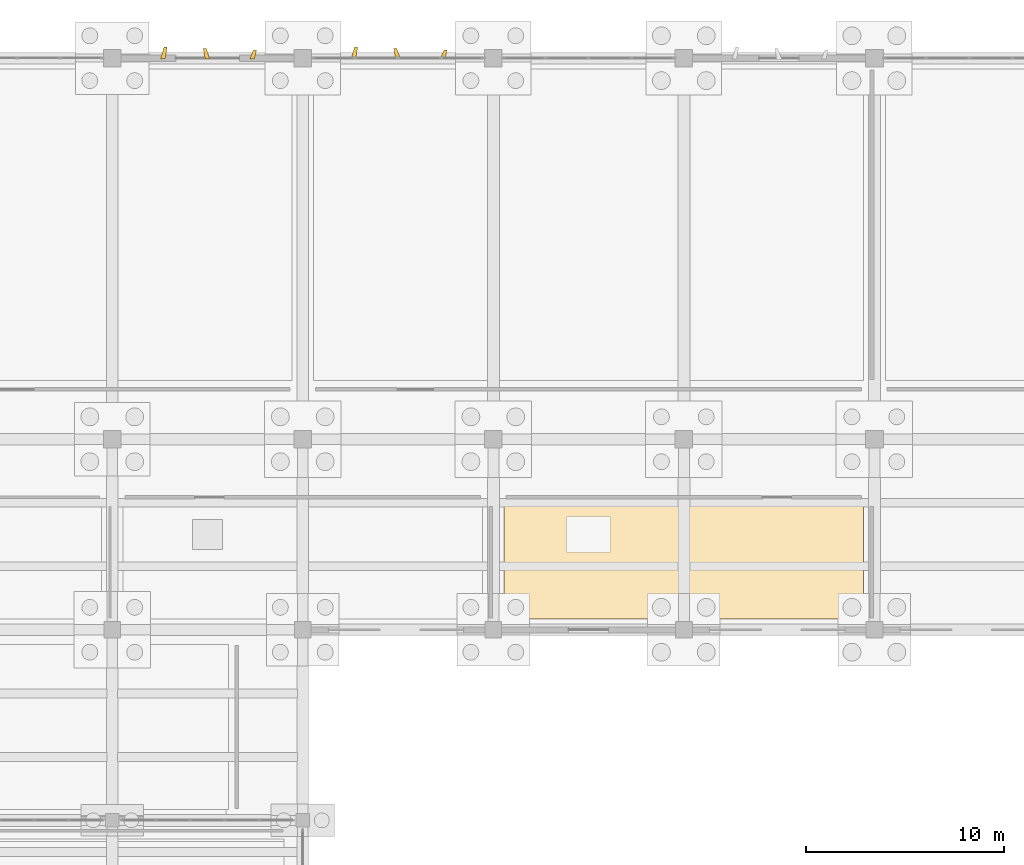
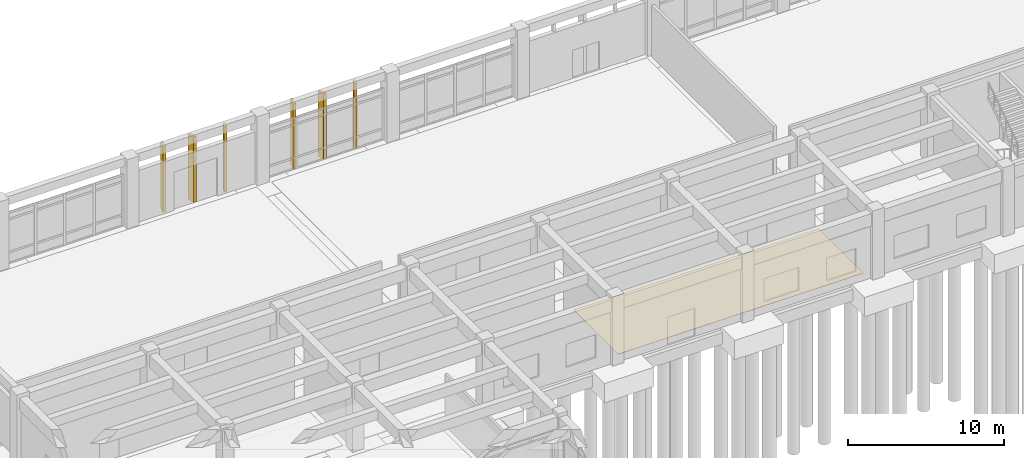
# One storey, part 94 of 102: 7 coverings.
"""IFC4 building model written with IfcOpenShell, lengths in metres."""

from ifc_helpers import new_model, si_unit, direction, frame, origin, place, context, subcontext, project, spatial, polyline, outline, extrude, material, layer, layer_set, type_object, element, save


model = new_model("IFC4")

# Units and contexts
model_context = context("Model", 3, precision=1e-05, world=origin(), true_north=direction((0.0, 1.0)))
body_context = subcontext(model_context, "Body", "Model", "MODEL_VIEW")
ifc_project = project(units=[si_unit("LENGTHUNIT", "METRE"), si_unit("AREAUNIT", "SQUARE_METRE"), si_unit("VOLUMEUNIT", "CUBIC_METRE"), si_unit("PLANEANGLEUNIT", "RADIAN"), si_unit("MASSUNIT", "GRAM", prefix="KILO")], contexts=[model_context])

# Site, building, storey
site_placement = place(None, origin())
site = spatial("IfcSite", under=ifc_project, at=site_placement, CompositionType="ELEMENT")
building_placement = place(site_placement, origin())
building = spatial("IfcBuilding", under=site, at=building_placement, Name="Kolvemor Railside Polytechnic", CompositionType="ELEMENT")
storey_placement = place(building_placement, origin())
storey = spatial("IfcBuildingStorey", under=building, at=storey_placement, Name="L00", CompositionType="ELEMENT", Elevation=0.0)

# Coverings
ifc_material_1 = material(Name="Sea-mist PVDF-anodised marine aluminium 5052-H32", Category="aluminium")
ifc_layer_1 = layer(ifc_material_1, 0.159912109375, Name="COV-FIN-MIST")
ifc_layer_set_1 = layer_set([ifc_layer_1], Name="Sea-mist PVDF-anodised marine aluminium 5052-H32")
covering_type_1 = type_object("IfcCoveringType", Name="COV-FIN-MIST", PredefinedType="CLADDING", material=ifc_layer_set_1)
covering_1_placement = place(storey_placement, frame((0.0, 0.0, 0.02001953125)))
element("IfcCovering", 1, at=covering_1_placement, inside=storey, type_object=covering_type_1, Name="Pleated Solar Fin L00-0717", PredefinedType="CLADDING", context=body_context, shape_type="SweptSolid", body=[
    extrude(outline(polyline([(40.8349609375, 119.965087890625), (41.06494140625, 119.965087890625), (41.169921875, 120.56494140625), (41.010009765625, 120.56494140625), (40.8349609375, 119.965087890625)])), origin(), (0.0, 0.0, 1.0), 5.10009765625),
])
covering_2_placement = place(storey_placement, frame((0.0, 0.0, 0.02001953125)))
element("IfcCovering", 2, at=covering_2_placement, inside=storey, type_object=covering_type_1, Name="Pleated Solar Fin L00-0718", PredefinedType="CLADDING", context=body_context, shape_type="SweptSolid", body=[
    extrude(outline(polyline([(43.0849609375, 119.965087890625), (43.31494140625, 119.965087890625), (43.139892578125, 120.485107421875), (42.97998046875, 120.485107421875), (43.0849609375, 119.965087890625)])), origin(), (0.0, 0.0, 1.0), 5.10009765625),
])
covering_3_placement = place(storey_placement, frame((0.0, 0.0, 0.02001953125)))
element("IfcCovering", 3, at=covering_3_placement, inside=storey, type_object=covering_type_1, Name="Pleated Solar Fin L00-0719", PredefinedType="CLADDING", context=body_context, shape_type="SweptSolid", body=[
    extrude(outline(polyline([(45.3349609375, 119.965087890625), (45.56494140625, 119.965087890625), (45.669921875, 120.405029296875), (45.510009765625, 120.405029296875), (45.3349609375, 119.965087890625)])), origin(), (0.0, 0.0, 1.0), 5.10009765625),
])
covering_4_placement = place(storey_placement, frame((0.0, 0.0, 0.02001953125)))
element("IfcCovering", 4, at=covering_4_placement, inside=storey, type_object=covering_type_1, Name="Pleated Solar Fin L00-0720", PredefinedType="CLADDING", context=body_context, shape_type="SweptSolid", body=[
    extrude(outline(polyline([(50.43505859375, 119.965087890625), (50.6650390625, 119.965087890625), (50.77001953125, 120.56494140625), (50.610107421875, 120.56494140625), (50.43505859375, 119.965087890625)])), origin(), (0.0, 0.0, 1.0), 5.10009765625),
])
covering_5_placement = place(storey_placement, frame((0.0, 0.0, 0.02001953125)))
element("IfcCovering", 5, at=covering_5_placement, inside=storey, type_object=covering_type_1, Name="Pleated Solar Fin L00-0721", PredefinedType="CLADDING", context=body_context, shape_type="SweptSolid", body=[
    extrude(outline(polyline([(52.68505859375, 119.965087890625), (52.9150390625, 119.965087890625), (52.739990234375, 120.485107421875), (52.580078125, 120.485107421875), (52.68505859375, 119.965087890625)])), origin(), (0.0, 0.0, 1.0), 5.10009765625),
])
covering_6_placement = place(storey_placement, frame((0.0, 0.0, 0.02001953125)))
element("IfcCovering", 6, at=covering_6_placement, inside=storey, type_object=covering_type_1, Name="Pleated Solar Fin L00-0722", PredefinedType="CLADDING", context=body_context, shape_type="SweptSolid", body=[
    extrude(outline(polyline([(54.93505859375, 119.965087890625), (55.1650390625, 119.965087890625), (55.27001953125, 120.405029296875), (55.110107421875, 120.405029296875), (54.93505859375, 119.965087890625)])), origin(), (0.0, 0.0, 1.0), 5.10009765625),
])
ifc_material_2 = material(Name="Polished coral-aggregate terrazzo and laboratory epoxy flooring")
ifc_layer_2 = layer(ifc_material_2, 0.02001953125, Name="COV-FLR-1")
ifc_layer_set_2 = layer_set([ifc_layer_2], Name="Polished coral-aggregate terrazzo and laboratory epoxy flooring")
covering_type_2 = type_object("IfcCoveringType", Name="COV-FLR-1", PredefinedType="FLOORING", material=ifc_layer_set_2)
covering_7_placement = place(storey_placement, origin())
element("IfcCovering", 7, at=covering_7_placement, inside=storey, type_object=covering_type_2, Name="Rainwater Cistern and Fire Pump Room Floor Finish", PredefinedType="FLOORING", context=body_context, shape_type="SweptSolid", body=[
    extrude(outline(polyline([(58.14990234375, 91.75), (76.25, 91.75), (76.25, 97.449951171875), (58.14990234375, 97.449951171875), (58.14990234375, 91.75)])), origin(), (0.0, 0.0, 1.0), 0.02001953125),
])

save(model, "model.ifc")
